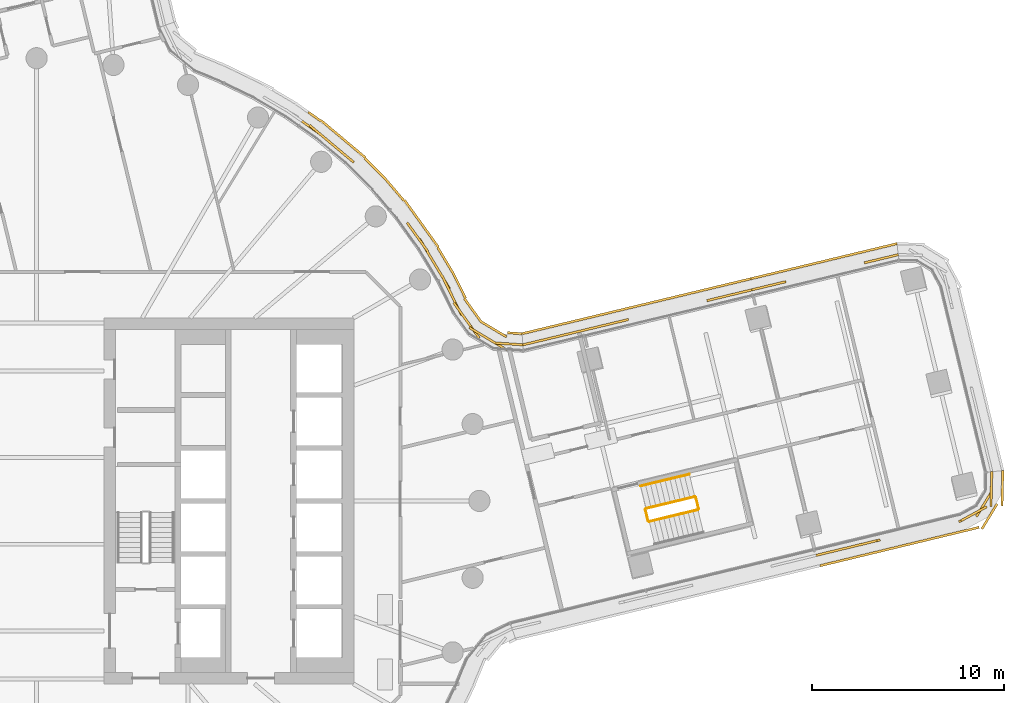
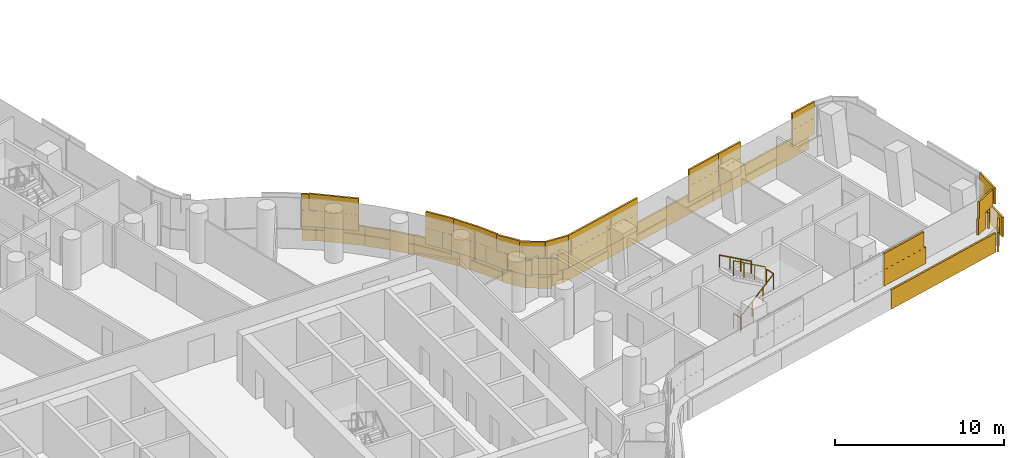
# One storey, part 29 of 33: 5 railings, 4 coverings.
"""IFC4 building model written with IfcOpenShell, lengths in metres."""

from ifc_helpers import new_model, si_unit, direction, frame, origin, origin_2d, place, context, subcontext, project, spatial, rectangle, circle, extrude, material, layer, layer_set, type_object, element, save


model = new_model("IFC4")

# Units and contexts
model_context = context("Model", 3, precision=1e-05, world=origin(), true_north=direction((0.0, 1.0)))
body_context = subcontext(model_context, "Body", "Model", "MODEL_VIEW")
ifc_project = project(units=[si_unit("LENGTHUNIT", "METRE"), si_unit("AREAUNIT", "SQUARE_METRE"), si_unit("VOLUMEUNIT", "CUBIC_METRE"), si_unit("PLANEANGLEUNIT", "RADIAN"), si_unit("MASSUNIT", "GRAM", prefix="KILO")], contexts=[model_context])

# Site, building, storey
site_placement = place(None, origin())
site = spatial("IfcSite", under=ifc_project, at=site_placement, CompositionType="ELEMENT")
building_placement = place(site_placement, origin())
building = spatial("IfcBuilding", under=site, at=building_placement, Name="Tamarind Cross Interchange Tower", CompositionType="ELEMENT")
storey_placement = place(building_placement, frame((0.0, 0.0, 83.5)))
storey = spatial("IfcBuildingStorey", under=building, at=storey_placement, Name="L19", CompositionType="ELEMENT", Elevation=83.5)

# Railings
ifc_material_1 = material(Name="Stair guard")
railing_type_1 = type_object("IfcRailingType", Name="Stair guard", PredefinedType="GUARDRAIL", material=ifc_material_1)
railing_1_placement = place(storey_placement, frame((31.82666015625, -1.072265625, 0.17041015625)))
element("IfcRailing", 1, at=railing_1_placement, inside=storey, type_object=railing_type_1, Name="L19 ST3 stair guard 1", PredefinedType="GUARDRAIL", context=body_context, shape_type="SweptSolid", body=[
    extrude(circle(Radius=0.02392578125, at=origin_2d()), frame((0.0, 0.0, 1.076171875), z_axis=(0.812910466723, 0.196395776398, 0.548274814399), x_axis=(-0.234839402475, 0.972034184093, 0.0)), (0.0, 0.0, 1.0), 3.10888671875),
    extrude(circle(Radius=0.02099609375, at=origin_2d()), origin(), (0.0, 0.0, 1.0), 1.052001953125),
    extrude(circle(Radius=0.02099609375, at=origin_2d()), frame((0.842529296875, 0.20361328125, 0.568115234375)), (0.0, 0.0, 1.0), 1.052001953125),
    extrude(circle(Radius=0.02099609375, at=origin_2d()), frame((1.684814453125, 0.406982421875, 1.136474609375)), (0.0, 0.0, 1.0), 1.052001953125),
    extrude(circle(Radius=0.02099609375, at=origin_2d()), frame((2.52734375, 0.610595703125, 1.70458984375)), (0.0, 0.0, 1.0), 1.052001953125),
])
railing_2_placement = place(storey_placement, frame((34.390869140625, -0.4013671875, 1.875)))
element("IfcRailing", 2, at=railing_2_placement, inside=storey, type_object=railing_type_1, Name="L19 ST3 stair guard 2", PredefinedType="GUARDRAIL", context=body_context, shape_type="SweptSolid", body=[
    extrude(circle(Radius=0.02392578125, at=origin_2d()), frame((0.0, 0.0, 1.076171875), z_axis=(-0.235157515487, 0.97195727422, 0.0), x_axis=(-0.97195727422, -0.235157515487, 0.0)), (0.0, 0.0, 1.0), 0.60009765625),
    extrude(circle(Radius=0.02099609375, at=origin_2d()), origin(), (0.0, 0.0, 1.0), 1.052001953125),
    extrude(circle(Radius=0.02099609375, at=origin_2d()), frame((-0.14111328125, 0.583251953125, 0.0)), (0.0, 0.0, 1.0), 1.052001953125),
])
railing_3_placement = place(storey_placement, frame((34.189453125, 0.21875, 2.04541015625)))
element("IfcRailing", 3, at=railing_3_placement, inside=storey, type_object=railing_type_1, Name="L19 ST3 stair guard 3", PredefinedType="GUARDRAIL", context=body_context, shape_type="SweptSolid", body=[
    extrude(circle(Radius=0.02392578125, at=origin_2d()), frame((0.0, 0.0, 1.076171875), z_axis=(-0.812883829688, -0.196408313984, 0.548309815369), x_axis=(0.234860838697, -0.972029004941, 0.0)), (0.0, 0.0, 1.0), 3.10888671875),
    extrude(circle(Radius=0.02099609375, at=origin_2d()), origin(), (0.0, 0.0, 1.0), 1.052001953125),
    extrude(circle(Radius=0.02099609375, at=origin_2d()), frame((-0.84228515625, -0.20361328125, 0.568115234375)), (0.0, 0.0, 1.0), 1.052001953125),
    extrude(circle(Radius=0.02099609375, at=origin_2d()), frame((-1.684814453125, -0.406982421875, 1.136474609375)), (0.0, 0.0, 1.0), 1.052001953125),
    extrude(circle(Radius=0.02099609375, at=origin_2d()), frame((-2.527099609375, -0.610595703125, 1.70458984375)), (0.0, 0.0, 1.0), 1.052001953125),
])
railing_4_placement = place(storey_placement, frame((31.766357421875, -1.035400390625, 0.0)))
element("IfcRailing", 4, at=railing_4_placement, inside=storey, type_object=railing_type_1, Name="L19 ST3 stair guard 4", PredefinedType="GUARDRAIL", context=body_context, shape_type="SweptSolid", body=[
    extrude(circle(Radius=0.02392578125, at=origin_2d()), frame((0.0, 0.0, 1.076171875), z_axis=(-0.234773111691, 0.972050197277, 0.0), x_axis=(-0.972050197277, -0.234773111691, 0.0)), (0.0, 0.0, 1.0), 0.60009765625),
    extrude(circle(Radius=0.02099609375, at=origin_2d()), origin(), (0.0, 0.0, 1.0), 1.052001953125),
    extrude(circle(Radius=0.02099609375, at=origin_2d()), frame((-0.140869140625, 0.583251953125, 0.0)), (0.0, 0.0, 1.0), 1.052001953125),
])
ifc_material_2 = material(Name="Stair handrail")
railing_type_2 = type_object("IfcRailingType", Name="Stair handrail", PredefinedType="HANDRAIL", material=ifc_material_2)
railing_5_placement = place(storey_placement, frame((33.90771484375, 1.38525390625, 2.04541015625)))
element("IfcRailing", 5, at=railing_5_placement, inside=storey, type_object=railing_type_2, Name="L19 ST3 stair handrail 2", PredefinedType="HANDRAIL", context=body_context, shape_type="SweptSolid", body=[
    extrude(circle(Radius=0.02392578125, at=origin_2d()), frame((0.0, 0.0, 0.8759765625), z_axis=(-0.812910466723, -0.196395776398, 0.548274814399), x_axis=(0.234839402475, -0.972034184093, 0.0)), (0.0, 0.0, 1.0), 3.10888671875),
    extrude(circle(Radius=0.02099609375, at=origin_2d()), origin(), (0.0, 0.0, 1.0), 0.851806640625),
    extrude(circle(Radius=0.02099609375, at=origin_2d()), frame((-0.842529296875, -0.20361328125, 0.568115234375)), (0.0, 0.0, 1.0), 0.851806640625),
    extrude(circle(Radius=0.02099609375, at=origin_2d()), frame((-1.684814453125, -0.406982421875, 1.136474609375)), (0.0, 0.0, 1.0), 0.851806640625),
    extrude(circle(Radius=0.02099609375, at=origin_2d()), frame((-2.52734375, -0.610595703125, 1.70458984375)), (0.0, 0.0, 1.0), 0.851806640625),
])

# Coverings
ifc_material_3 = material(Name="Terracotta", Category="masonry")
ifc_layer = layer(ifc_material_3, 0.1201171875)
ifc_layer_set = layer_set([ifc_layer], Name="Terracotta")
covering_type = type_object("IfcCoveringType", Name="Terracotta baguette screen unit", PredefinedType="MOLDING", material=ifc_layer_set)
covering_1_placement = place(storey_placement, origin())
element("IfcCovering", 6, at=covering_1_placement, inside=storey, type_object=covering_type, Name="SCR-L19-11-02", PredefinedType="MOLDING", context=body_context, shape_type="SweptSolid", body=[
    extrude(rectangle(XDim=1.009765625, YDim=0.1201171875, at=origin_2d()), frame((40.97802734375, -2.708984375, 1.404052734375), z_axis=(0.0, 0.0, 1.0), x_axis=(0.972033185193, 0.234843537027, 0.0)), (0.0, 0.0, 1.0), 1.1669921875),
    extrude(rectangle(XDim=1.52001953125, YDim=0.1201171875, at=origin_2d()), frame((42.19287109375, -2.415283203125, 1.404052734375), z_axis=(0.0, 0.0, 1.0), x_axis=(0.972033185193, 0.234843537027, 0.0)), (0.0, 0.0, 1.0), 1.1669921875),
    extrude(rectangle(XDim=0.929931640625, YDim=0.1201171875, at=origin_2d()), frame((43.368896484375, -2.13134765625, 1.404052734375), z_axis=(0.0, 0.0, 1.0), x_axis=(0.972033185193, 0.234843537027, 0.0)), (0.0, 0.0, 1.0), 1.1669921875),
    extrude(rectangle(XDim=0.89013671875, YDim=0.1201171875, at=origin_2d()), frame((48.30322265625, -0.87353515625, 1.404052734375), z_axis=(0.0, 0.0, 1.0), x_axis=(0.878129977586, 0.478422138351, 0.0)), (0.0, 0.0, 1.0), 1.1669921875),
    extrude(rectangle(XDim=1.52001953125, YDim=0.1201171875, at=origin_2d()), frame((49.2177734375, -0.167236328125, 1.404052734375), z_axis=(0.0, 0.0, 1.0), x_axis=(0.521271799238, 0.853390714338, 0.0)), (0.0, 0.0, 1.0), 1.1669921875),
    extrude(rectangle(XDim=1.04931640625, YDim=0.1201171875, at=origin_2d()), frame((49.605712890625, 0.9970703125, 1.404052734375), z_axis=(0.0, 0.0, 1.0), x_axis=(0.024739263248, 0.99969393759, 0.0)), (0.0, 0.0, 1.0), 1.1669921875),
    extrude(rectangle(XDim=0.259765625, YDim=0.1201171875, at=origin_2d()), frame((40.613525390625, -2.796875, 2.5791015625), z_axis=(0.0, 0.0, 1.0), x_axis=(0.972033185193, 0.234843537027, 0.0)), (0.0, 0.0, 1.0), 1.1669921875),
    extrude(rectangle(XDim=1.52001953125, YDim=0.1201171875, at=origin_2d()), frame((41.4638671875, -2.591552734375, 2.5791015625), z_axis=(0.0, 0.0, 1.0), x_axis=(0.972033185193, 0.234843537027, 0.0)), (0.0, 0.0, 1.0), 1.1669921875),
    extrude(rectangle(XDim=1.52001953125, YDim=0.1201171875, at=origin_2d()), frame((42.921875, -2.2392578125, 2.5791015625), z_axis=(0.0, 0.0, 1.0), x_axis=(0.972033185193, 0.234843537027, 0.0)), (0.0, 0.0, 1.0), 1.1669921875),
    extrude(rectangle(XDim=1.52001953125, YDim=0.1201171875, at=origin_2d()), frame((48.689697265625, -0.662841796875, 2.5791015625), z_axis=(0.0, 0.0, 1.0), x_axis=(0.878129977586, 0.478422138351, 0.0)), (0.0, 0.0, 1.0), 1.1669921875),
    extrude(rectangle(XDim=1.52001953125, YDim=0.1201171875, at=origin_2d()), frame((49.593017578125, 0.4775390625, 2.5791015625), z_axis=(0.0, 0.0, 1.0), x_axis=(0.024739263248, 0.99969393759, 0.0)), (0.0, 0.0, 1.0), 1.1669921875),
    extrude(rectangle(XDim=0.29931640625, YDim=0.1201171875, at=origin_2d()), frame((49.614990234375, 1.3720703125, 2.5791015625), z_axis=(0.0, 0.0, 1.0), x_axis=(0.024739263248, 0.99969393759, 0.0)), (0.0, 0.0, 1.0), 1.1669921875),
    extrude(rectangle(XDim=1.001220703125, YDim=0.1201171875, at=origin_2d()), frame((41.182861328125, -3.25, 0.00390625), z_axis=(0.0, 0.0, 1.0), x_axis=(0.972033185193, 0.234843537027, 0.0)), (0.0, 0.0, 1.0), 1.39208984375),
    extrude(rectangle(XDim=1.52001953125, YDim=0.1201171875, at=origin_2d()), frame((42.388916015625, -2.95849609375, 0.00390625), z_axis=(0.0, 0.0, 1.0), x_axis=(0.972033185193, 0.234843537027, 0.0)), (0.0, 0.0, 1.0), 1.39208984375),
    extrude(rectangle(XDim=1.52001953125, YDim=0.1201171875, at=origin_2d()), frame((43.846923828125, -2.606201171875, 0.00390625), z_axis=(0.0, 0.0, 1.0), x_axis=(0.972033185193, 0.234843537027, 0.0)), (0.0, 0.0, 1.0), 1.39208984375),
    extrude(rectangle(XDim=1.52001953125, YDim=0.1201171875, at=origin_2d()), frame((45.304931640625, -2.25390625, 0.00390625), z_axis=(0.0, 0.0, 1.0), x_axis=(0.972033185193, 0.234843537027, 0.0)), (0.0, 0.0, 1.0), 1.39208984375),
    extrude(rectangle(XDim=1.52001953125, YDim=0.1201171875, at=origin_2d()), frame((46.762939453125, -1.90185546875, 0.00390625), z_axis=(0.0, 0.0, 1.0), x_axis=(0.972033185193, 0.234843537027, 0.0)), (0.0, 0.0, 1.0), 1.39208984375),
    extrude(rectangle(XDim=1.52001953125, YDim=0.1201171875, at=origin_2d()), frame((48.220947265625, -1.549560546875, 0.00390625), z_axis=(0.0, 0.0, 1.0), x_axis=(0.972033185193, 0.234843537027, 0.0)), (0.0, 0.0, 1.0), 1.39208984375),
    extrude(rectangle(XDim=1.52001953125, YDim=0.1201171875, at=origin_2d()), frame((49.50146484375, -0.80419921875, 0.00390625), z_axis=(0.0, 0.0, 1.0), x_axis=(0.521271799238, 0.853390714338, 0.0)), (0.0, 0.0, 1.0), 1.39208984375),
    extrude(rectangle(XDim=1.52001953125, YDim=0.1201171875, at=origin_2d()), frame((50.16796875, 0.510009765625, 0.00390625), z_axis=(0.0, 0.0, 1.0), x_axis=(0.024739263248, 0.99969393759, 0.0)), (0.0, 0.0, 1.0), 1.39208984375),
    extrude(rectangle(XDim=0.328369140625, YDim=0.1201171875, at=origin_2d()), frame((50.190185546875, 1.413818359375, 0.00390625), z_axis=(0.0, 0.0, 1.0), x_axis=(0.024739263248, 0.99969393759, 0.0)), (0.0, 0.0, 1.0), 1.39208984375),
])
covering_2_placement = place(storey_placement, origin())
element("IfcCovering", 7, at=covering_2_placement, inside=storey, type_object=covering_type, Name="SCR-L19-13-00", PredefinedType="MOLDING", context=body_context, shape_type="SweptSolid", body=[
    extrude(rectangle(XDim=0.760009765625, YDim=0.1201171875, at=origin_2d()), frame((44.39208984375, 12.704345703125, 1.404052734375), z_axis=(0.0, 0.0, 1.0), x_axis=(-0.972346190764, -0.233544182771, 0.0)), (0.0, 0.0, 1.0), 1.1669921875),
    extrude(rectangle(XDim=1.06591796875, YDim=0.1201171875, at=origin_2d()), frame((43.51416015625, 12.49365234375, 1.404052734375), z_axis=(0.0, 0.0, 1.0), x_axis=(-0.972346190764, -0.233544182771, 0.0)), (0.0, 0.0, 1.0), 1.1669921875),
    extrude(rectangle(XDim=0.754150390625, YDim=0.1201171875, at=origin_2d()), frame((38.55517578125, 11.302490234375, 1.404052734375), z_axis=(0.0, 0.0, 1.0), x_axis=(-0.972346190764, -0.233544182771, 0.0)), (0.0, 0.0, 1.0), 1.1669921875),
    extrude(rectangle(XDim=1.07177734375, YDim=0.1201171875, at=origin_2d()), frame((37.67724609375, 11.091552734375, 1.404052734375), z_axis=(0.0, 0.0, 1.0), x_axis=(-0.972346190764, -0.233544182771, 0.0)), (0.0, 0.0, 1.0), 1.1669921875),
    extrude(rectangle(XDim=1.510009765625, YDim=0.1201171875, at=origin_2d()), frame((44.02734375, 12.616943359375, 2.5791015625), z_axis=(0.0, 0.0, 1.0), x_axis=(-0.972346190764, -0.233544182771, 0.0)), (0.0, 0.0, 1.0), 1.1669921875),
    extrude(rectangle(XDim=0.31591796875, YDim=0.1201171875, at=origin_2d()), frame((43.1494140625, 12.406005859375, 2.5791015625), z_axis=(0.0, 0.0, 1.0), x_axis=(-0.972346190764, -0.233544182771, 0.0)), (0.0, 0.0, 1.0), 1.1669921875),
    extrude(rectangle(XDim=1.504150390625, YDim=0.1201171875, at=origin_2d()), frame((38.1904296875, 11.21484375, 2.5791015625), z_axis=(0.0, 0.0, 1.0), x_axis=(-0.972346190764, -0.233544182771, 0.0)), (0.0, 0.0, 1.0), 1.1669921875),
    extrude(rectangle(XDim=0.32177734375, YDim=0.1201171875, at=origin_2d()), frame((37.3125, 11.00390625, 2.5791015625), z_axis=(0.0, 0.0, 1.0), x_axis=(-0.972346190764, -0.233544182771, 0.0)), (0.0, 0.0, 1.0), 1.1669921875),
    extrude(rectangle(XDim=0.760009765625, YDim=0.1201171875, at=origin_2d()), frame((44.326171875, 13.27880859375, 0.00390625), z_axis=(0.0, 0.0, 1.0), x_axis=(-0.972346190764, -0.233544182771, 0.0)), (0.0, 0.0, 1.0), 1.39208984375),
    extrude(rectangle(XDim=1.52001953125, YDim=0.1201171875, at=origin_2d()), frame((43.237060546875, 13.017333984375, 0.00390625), z_axis=(0.0, 0.0, 1.0), x_axis=(-0.972346190764, -0.233544182771, 0.0)), (0.0, 0.0, 1.0), 1.39208984375),
    extrude(rectangle(XDim=1.52001953125, YDim=0.1201171875, at=origin_2d()), frame((41.778564453125, 12.6669921875, 0.00390625), z_axis=(0.0, 0.0, 1.0), x_axis=(-0.972346190764, -0.233544182771, 0.0)), (0.0, 0.0, 1.0), 1.39208984375),
    extrude(rectangle(XDim=1.52001953125, YDim=0.1201171875, at=origin_2d()), frame((40.320068359375, 12.316650390625, 0.00390625), z_axis=(0.0, 0.0, 1.0), x_axis=(-0.972346190764, -0.233544182771, 0.0)), (0.0, 0.0, 1.0), 1.39208984375),
    extrude(rectangle(XDim=1.52001953125, YDim=0.1201171875, at=origin_2d()), frame((38.861572265625, 11.96630859375, 0.00390625), z_axis=(0.0, 0.0, 1.0), x_axis=(-0.972346190764, -0.233544182771, 0.0)), (0.0, 0.0, 1.0), 1.39208984375),
    extrude(rectangle(XDim=1.06689453125, YDim=0.1201171875, at=origin_2d()), frame((37.623291015625, 11.6689453125, 0.00390625), z_axis=(0.0, 0.0, 1.0), x_axis=(-0.972346190764, -0.233544182771, 0.0)), (0.0, 0.0, 1.0), 1.39208984375),
])
covering_3_placement = place(storey_placement, origin())
element("IfcCovering", 8, at=covering_3_placement, inside=storey, type_object=covering_type, Name="SCR-L19-13-01", PredefinedType="MOLDING", context=body_context, shape_type="SweptSolid", body=[
    extrude(rectangle(XDim=0.4482421875, YDim=0.1201171875, at=origin_2d()), frame((36.947998046875, 10.91650390625, 1.404052734375), z_axis=(0.0, 0.0, 1.0), x_axis=(-0.972346190764, -0.233544182771, 0.0)), (0.0, 0.0, 1.0), 1.1669921875),
    extrude(rectangle(XDim=1.52001953125, YDim=0.1201171875, at=origin_2d()), frame((36.005615234375, 10.690185546875, 1.404052734375), z_axis=(0.0, 0.0, 1.0), x_axis=(-0.972346190764, -0.233544182771, 0.0)), (0.0, 0.0, 1.0), 1.1669921875),
    extrude(rectangle(XDim=0.47119140625, YDim=0.1201171875, at=origin_2d()), frame((35.052001953125, 10.461181640625, 1.404052734375), z_axis=(0.0, 0.0, 1.0), x_axis=(-0.972346190764, -0.233544182771, 0.0)), (0.0, 0.0, 1.0), 1.1669921875),
    extrude(rectangle(XDim=1.348876953125, YDim=0.1201171875, at=origin_2d()), frame((30.093017578125, 9.27001953125, 1.404052734375), z_axis=(0.0, 0.0, 1.0), x_axis=(-0.972346190764, -0.233544182771, 0.0)), (0.0, 0.0, 1.0), 1.1669921875),
    extrude(rectangle(XDim=1.52001953125, YDim=0.1201171875, at=origin_2d()), frame((28.712890625, 8.9384765625, 1.404052734375), z_axis=(0.0, 0.0, 1.0), x_axis=(-0.972346190764, -0.233544182771, 0.0)), (0.0, 0.0, 1.0), 1.1669921875),
    extrude(rectangle(XDim=1.52001953125, YDim=0.1201171875, at=origin_2d()), frame((27.25439453125, 8.588134765625, 1.404052734375), z_axis=(0.0, 0.0, 1.0), x_axis=(-0.972346190764, -0.233544182771, 0.0)), (0.0, 0.0, 1.0), 1.1669921875),
    extrude(rectangle(XDim=1.30712890625, YDim=0.1201171875, at=origin_2d()), frame((25.89453125, 8.261474609375, 1.404052734375), z_axis=(0.0, 0.0, 1.0), x_axis=(-0.972346190764, -0.233544182771, 0.0)), (0.0, 0.0, 1.0), 1.1669921875),
    extrude(rectangle(XDim=1.1982421875, YDim=0.1201171875, at=origin_2d()), frame((36.583251953125, 10.828857421875, 2.5791015625), z_axis=(0.0, 0.0, 1.0), x_axis=(-0.972346190764, -0.233544182771, 0.0)), (0.0, 0.0, 1.0), 1.1669921875),
    extrude(rectangle(XDim=1.22119140625, YDim=0.1201171875, at=origin_2d()), frame((35.416748046875, 10.548583984375, 2.5791015625), z_axis=(0.0, 0.0, 1.0), x_axis=(-0.972346190764, -0.233544182771, 0.0)), (0.0, 0.0, 1.0), 1.1669921875),
    extrude(rectangle(XDim=0.598876953125, YDim=0.1201171875, at=origin_2d()), frame((30.457763671875, 9.357666015625, 2.5791015625), z_axis=(0.0, 0.0, 1.0), x_axis=(-0.972346190764, -0.233544182771, 0.0)), (0.0, 0.0, 1.0), 1.1669921875),
    extrude(rectangle(XDim=1.52001953125, YDim=0.1201171875, at=origin_2d()), frame((29.442138671875, 9.11376953125, 2.5791015625), z_axis=(0.0, 0.0, 1.0), x_axis=(-0.972346190764, -0.233544182771, 0.0)), (0.0, 0.0, 1.0), 1.1669921875),
    extrude(rectangle(XDim=1.52001953125, YDim=0.1201171875, at=origin_2d()), frame((27.983642578125, 8.763427734375, 2.5791015625), z_axis=(0.0, 0.0, 1.0), x_axis=(-0.972346190764, -0.233544182771, 0.0)), (0.0, 0.0, 1.0), 1.1669921875),
    extrude(rectangle(XDim=1.52001953125, YDim=0.1201171875, at=origin_2d()), frame((26.525146484375, 8.4130859375, 2.5791015625), z_axis=(0.0, 0.0, 1.0), x_axis=(-0.972346190764, -0.233544182771, 0.0)), (0.0, 0.0, 1.0), 1.1669921875),
    extrude(rectangle(XDim=0.55712890625, YDim=0.1201171875, at=origin_2d()), frame((25.530029296875, 8.174072265625, 2.5791015625), z_axis=(0.0, 0.0, 1.0), x_axis=(-0.972346190764, -0.233544182771, 0.0)), (0.0, 0.0, 1.0), 1.1669921875),
    extrude(rectangle(XDim=0.453125, YDim=0.1201171875, at=origin_2d()), frame((36.88427734375, 11.491455078125, 0.00390625), z_axis=(0.0, 0.0, 1.0), x_axis=(-0.972346190764, -0.233544182771, 0.0)), (0.0, 0.0, 1.0), 1.39208984375),
    extrude(rectangle(XDim=1.52001953125, YDim=0.1201171875, at=origin_2d()), frame((35.944580078125, 11.265869140625, 0.00390625), z_axis=(0.0, 0.0, 1.0), x_axis=(-0.972346190764, -0.233544182771, 0.0)), (0.0, 0.0, 1.0), 1.39208984375),
    extrude(rectangle(XDim=1.52001953125, YDim=0.1201171875, at=origin_2d()), frame((34.486083984375, 10.91552734375, 0.00390625), z_axis=(0.0, 0.0, 1.0), x_axis=(-0.972346190764, -0.233544182771, 0.0)), (0.0, 0.0, 1.0), 1.39208984375),
    extrude(rectangle(XDim=1.52001953125, YDim=0.1201171875, at=origin_2d()), frame((33.027587890625, 10.565185546875, 0.00390625), z_axis=(0.0, 0.0, 1.0), x_axis=(-0.972346190764, -0.233544182771, 0.0)), (0.0, 0.0, 1.0), 1.39208984375),
    extrude(rectangle(XDim=1.52001953125, YDim=0.1201171875, at=origin_2d()), frame((31.569091796875, 10.21484375, 0.00390625), z_axis=(0.0, 0.0, 1.0), x_axis=(-0.972346190764, -0.233544182771, 0.0)), (0.0, 0.0, 1.0), 1.39208984375),
    extrude(rectangle(XDim=1.52001953125, YDim=0.1201171875, at=origin_2d()), frame((30.110595703125, 9.864501953125, 0.00390625), z_axis=(0.0, 0.0, 1.0), x_axis=(-0.972346190764, -0.233544182771, 0.0)), (0.0, 0.0, 1.0), 1.39208984375),
    extrude(rectangle(XDim=1.52001953125, YDim=0.1201171875, at=origin_2d()), frame((28.652099609375, 9.51416015625, 0.00390625), z_axis=(0.0, 0.0, 1.0), x_axis=(-0.972346190764, -0.233544182771, 0.0)), (0.0, 0.0, 1.0), 1.39208984375),
    extrude(rectangle(XDim=1.52001953125, YDim=0.1201171875, at=origin_2d()), frame((27.193359375, 9.163818359375, 0.00390625), z_axis=(0.0, 0.0, 1.0), x_axis=(-0.972346190764, -0.233544182771, 0.0)), (0.0, 0.0, 1.0), 1.39208984375),
    extrude(rectangle(XDim=1.294921875, YDim=0.1201171875, at=origin_2d()), frame((25.844482421875, 8.83984375, 0.00390625), z_axis=(0.0, 0.0, 1.0), x_axis=(-0.972346190764, -0.233544182771, 0.0)), (0.0, 0.0, 1.0), 1.39208984375),
])
covering_4_placement = place(storey_placement, origin())
element("IfcCovering", 9, at=covering_4_placement, inside=storey, type_object=covering_type, Name="SCR-L19-14-00", PredefinedType="MOLDING", context=body_context, shape_type="SweptSolid", body=[
    extrude(rectangle(XDim=0.760009765625, YDim=0.1201171875, at=origin_2d()), frame((24.889892578125, 8.135009765625, 1.404052734375), z_axis=(0.0, 0.0, 1.0), x_axis=(-0.997808014991, 0.06617526139, 0.0)), (0.0, 0.0, 1.0), 1.1669921875),
    extrude(rectangle(XDim=1.52001953125, YDim=0.1201171875, at=origin_2d()), frame((23.775146484375, 8.23486328125, 1.404052734375), z_axis=(0.0, 0.0, 1.0), x_axis=(-0.859172921584, 0.511685343563, 0.0)), (0.0, 0.0, 1.0), 1.1669921875),
    extrude(rectangle(XDim=1.52001953125, YDim=0.1201171875, at=origin_2d()), frame((22.551513671875, 9.073486328125, 1.404052734375), z_axis=(0.0, 0.0, 1.0), x_axis=(-0.583659290857, 0.811998665144, 0.0)), (0.0, 0.0, 1.0), 1.1669921875),
    extrude(rectangle(XDim=1.52001953125, YDim=0.1201171875, at=origin_2d()), frame((21.739501953125, 10.32958984375, 1.404052734375), z_axis=(0.0, 0.0, 1.0), x_axis=(-0.443397229037, 0.89632521848, 0.0)), (0.0, 0.0, 1.0), 1.1669921875),
    extrude(rectangle(XDim=1.52001953125, YDim=0.1201171875, at=origin_2d()), frame((21.06494140625, 11.668701171875, 1.404052734375), z_axis=(0.0, 0.0, 1.0), x_axis=(-0.515577308909, 0.856843065292, 0.0)), (0.0, 0.0, 1.0), 1.1669921875),
    extrude(rectangle(XDim=1.52001953125, YDim=0.1201171875, at=origin_2d()), frame((20.29150390625, 12.9541015625, 1.404052734375), z_axis=(0.0, 0.0, 1.0), x_axis=(-0.515577308909, 0.856843065292, 0.0)), (0.0, 0.0, 1.0), 1.1669921875),
    extrude(rectangle(XDim=1.0859375, YDim=0.1201171875, at=origin_2d()), frame((19.563232421875, 14.015380859375, 1.404052734375), z_axis=(0.0, 0.0, 1.0), x_axis=(-0.584573890505, 0.811340475102, 0.0)), (0.0, 0.0, 1.0), 1.1669921875),
    extrude(rectangle(XDim=0.734130859375, YDim=0.1201171875, at=origin_2d()), frame((16.192138671875, 17.828125, 1.404052734375), z_axis=(0.0, 0.0, 1.0), x_axis=(-0.765858396687, 0.643009266048, 0.0)), (0.0, 0.0, 1.0), 1.1669921875),
    extrude(rectangle(XDim=1.52001953125, YDim=0.1201171875, at=origin_2d()), frame((15.34033203125, 18.543212890625, 1.404052734375), z_axis=(0.0, 0.0, 1.0), x_axis=(-0.765858396687, 0.643009266048, 0.0)), (0.0, 0.0, 1.0), 1.1669921875),
    extrude(rectangle(XDim=1.221923828125, YDim=0.1201171875, at=origin_2d()), frame((14.27490234375, 19.380126953125, 1.404052734375), z_axis=(0.0, 0.0, 1.0), x_axis=(-0.816341886298, 0.577568978284, 0.0)), (0.0, 0.0, 1.0), 1.1669921875),
    extrude(rectangle(XDim=1.510009765625, YDim=0.1201171875, at=origin_2d()), frame((24.515625, 8.15966796875, 2.5791015625), z_axis=(0.0, 0.0, 1.0), x_axis=(-0.997808014991, 0.06617526139, 0.0)), (0.0, 0.0, 1.0), 1.1669921875),
    extrude(rectangle(XDim=1.52001953125, YDim=0.1201171875, at=origin_2d()), frame((23.130859375, 8.61865234375, 2.5791015625), z_axis=(0.0, 0.0, 1.0), x_axis=(-0.859172921584, 0.511685343563, 0.0)), (0.0, 0.0, 1.0), 1.1669921875),
    extrude(rectangle(XDim=1.52001953125, YDim=0.1201171875, at=origin_2d()), frame((22.11376953125, 9.682373046875, 2.5791015625), z_axis=(0.0, 0.0, 1.0), x_axis=(-0.583659290857, 0.811998665144, 0.0)), (0.0, 0.0, 1.0), 1.1669921875),
    extrude(rectangle(XDim=1.52001953125, YDim=0.1201171875, at=origin_2d()), frame((21.406982421875, 11.001708984375, 2.5791015625), z_axis=(0.0, 0.0, 1.0), x_axis=(-0.443397229037, 0.89632521848, 0.0)), (0.0, 0.0, 1.0), 1.1669921875),
    extrude(rectangle(XDim=1.52001953125, YDim=0.1201171875, at=origin_2d()), frame((20.67822265625, 12.3115234375, 2.5791015625), z_axis=(0.0, 0.0, 1.0), x_axis=(-0.515577308909, 0.856843065292, 0.0)), (0.0, 0.0, 1.0), 1.1669921875),
    extrude(rectangle(XDim=1.52001953125, YDim=0.1201171875, at=origin_2d()), frame((19.877685546875, 13.578857421875, 2.5791015625), z_axis=(0.0, 0.0, 1.0), x_axis=(-0.584573890505, 0.811340475102, 0.0)), (0.0, 0.0, 1.0), 1.1669921875),
    extrude(rectangle(XDim=0.3359375, YDim=0.1201171875, at=origin_2d()), frame((19.343994140625, 14.319580078125, 2.5791015625), z_axis=(0.0, 0.0, 1.0), x_axis=(-0.584573890505, 0.811340475102, 0.0)), (0.0, 0.0, 1.0), 1.1669921875),
    extrude(rectangle(XDim=1.484130859375, YDim=0.1201171875, at=origin_2d()), frame((15.90478515625, 18.0693359375, 2.5791015625), z_axis=(0.0, 0.0, 1.0), x_axis=(-0.765858396687, 0.643009266048, 0.0)), (0.0, 0.0, 1.0), 1.1669921875),
    extrude(rectangle(XDim=1.52001953125, YDim=0.1201171875, at=origin_2d()), frame((14.765869140625, 19.025390625, 2.5791015625), z_axis=(0.0, 0.0, 1.0), x_axis=(-0.765858396687, 0.643009266048, 0.0)), (0.0, 0.0, 1.0), 1.1669921875),
    extrude(rectangle(XDim=0.471923828125, YDim=0.1201171875, at=origin_2d()), frame((13.96875, 19.5966796875, 2.5791015625), z_axis=(0.0, 0.0, 1.0), x_axis=(-0.816341886298, 0.577568978284, 0.0)), (0.0, 0.0, 1.0), 1.1669921875),
    extrude(rectangle(XDim=0.760009765625, YDim=0.1201171875, at=origin_2d()), frame((24.835693359375, 8.7138671875, 0.00390625), z_axis=(0.0, 0.0, 1.0), x_axis=(-0.997808014991, 0.06617526139, 0.0)), (0.0, 0.0, 1.0), 1.39208984375),
    extrude(rectangle(XDim=1.52001953125, YDim=0.1201171875, at=origin_2d()), frame((23.75732421875, 8.91357421875, 0.00390625), z_axis=(0.0, 0.0, 1.0), x_axis=(-0.859172921584, 0.511685343563, 0.0)), (0.0, 0.0, 1.0), 1.39208984375),
    extrude(rectangle(XDim=1.52001953125, YDim=0.1201171875, at=origin_2d()), frame((22.66650390625, 9.89697265625, 0.00390625), z_axis=(0.0, 0.0, 1.0), x_axis=(-0.583659290857, 0.811998665144, 0.0)), (0.0, 0.0, 1.0), 1.39208984375),
    extrude(rectangle(XDim=1.52001953125, YDim=0.1201171875, at=origin_2d()), frame((21.945556640625, 11.207763671875, 0.00390625), z_axis=(0.0, 0.0, 1.0), x_axis=(-0.443397229037, 0.89632521848, 0.0)), (0.0, 0.0, 1.0), 1.39208984375),
    extrude(rectangle(XDim=1.52001953125, YDim=0.1201171875, at=origin_2d()), frame((21.22216796875, 12.5205078125, 0.00390625), z_axis=(0.0, 0.0, 1.0), x_axis=(-0.515577308909, 0.856843065292, 0.0)), (0.0, 0.0, 1.0), 1.39208984375),
    extrude(rectangle(XDim=1.52001953125, YDim=0.1201171875, at=origin_2d()), frame((20.430419921875, 13.793701171875, 0.00390625), z_axis=(0.0, 0.0, 1.0), x_axis=(-0.584573890505, 0.811340475102, 0.0)), (0.0, 0.0, 1.0), 1.39208984375),
    extrude(rectangle(XDim=1.52001953125, YDim=0.1201171875, at=origin_2d()), frame((19.553466796875, 15.0107421875, 0.00390625), z_axis=(0.0, 0.0, 1.0), x_axis=(-0.584573890505, 0.811340475102, 0.0)), (0.0, 0.0, 1.0), 1.39208984375),
    extrude(rectangle(XDim=1.52001953125, YDim=0.1201171875, at=origin_2d()), frame((18.596923828125, 16.1650390625, 0.00390625), z_axis=(0.0, 0.0, 1.0), x_axis=(-0.64957723968, 0.760295606781, 0.0)), (0.0, 0.0, 1.0), 1.39208984375),
    extrude(rectangle(XDim=1.52001953125, YDim=0.1201171875, at=origin_2d()), frame((17.58056640625, 17.2666015625, 0.00390625), z_axis=(0.0, 0.0, 1.0), x_axis=(-0.710143317658, 0.704057148523, 0.0)), (0.0, 0.0, 1.0), 1.39208984375),
    extrude(rectangle(XDim=1.52001953125, YDim=0.1201171875, at=origin_2d()), frame((16.5068359375, 18.313232421875, 0.00390625), z_axis=(0.0, 0.0, 1.0), x_axis=(-0.765858396687, 0.643009266048, 0.0)), (0.0, 0.0, 1.0), 1.39208984375),
    extrude(rectangle(XDim=1.52001953125, YDim=0.1201171875, at=origin_2d()), frame((15.358154296875, 19.27783203125, 0.00390625), z_axis=(0.0, 0.0, 1.0), x_axis=(-0.765858396687, 0.643009266048, 0.0)), (0.0, 0.0, 1.0), 1.39208984375),
    extrude(rectangle(XDim=0.814208984375, YDim=0.1201171875, at=origin_2d()), frame((14.441162109375, 19.965576171875, 0.00390625), z_axis=(0.0, 0.0, 1.0), x_axis=(-0.816341886298, 0.577568978284, 0.0)), (0.0, 0.0, 1.0), 1.39208984375),
])

save(model, "model.ifc")
